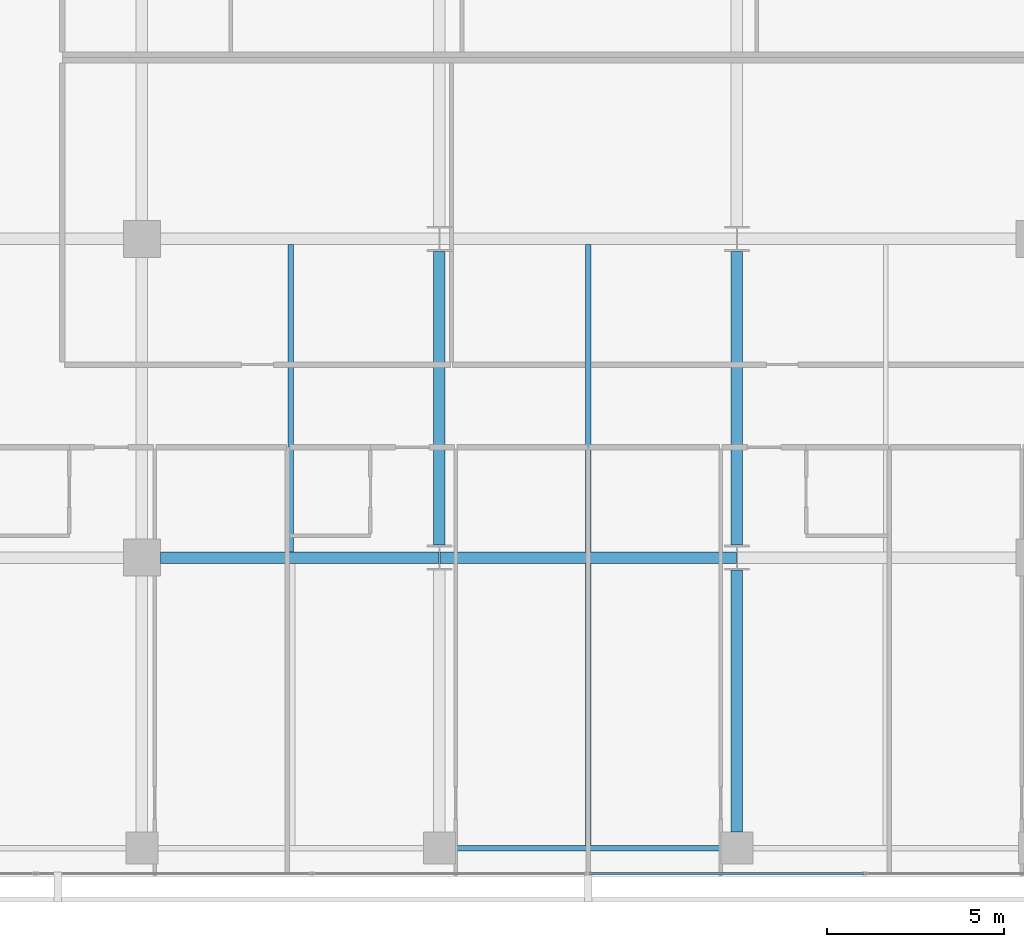
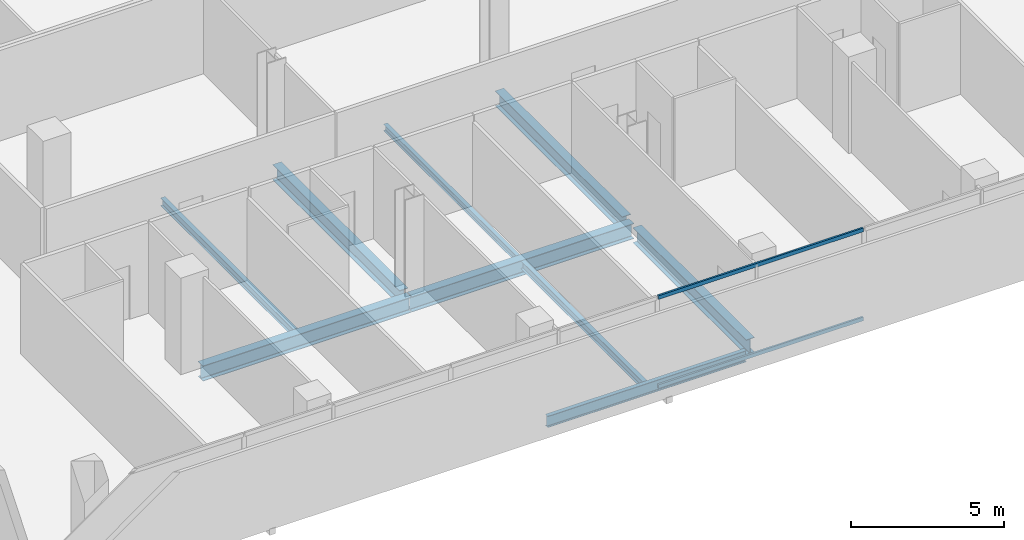
# One storey, part 9 of 40: 9 beams, 2 members, 1 element without a shape of its own.
"""IFC4 building model written with IfcOpenShell, lengths in metres."""

from ifc_helpers import new_model, si_unit, direction, frame, origin, origin_2d, place, context, subcontext, project, spatial, hollow_rectangle, i_section, extrude, material, layer, layer_set, material_profile, profile_set, type_object, element, aggregate, save


model = new_model("IFC4")

# Units and contexts
model_context = context("Model", 3, precision=1e-05, world=origin(), true_north=direction((0.0, 1.0)))
body_context = subcontext(model_context, "Body", "Model", "MODEL_VIEW")
ifc_project = project(units=[si_unit("LENGTHUNIT", "METRE"), si_unit("AREAUNIT", "SQUARE_METRE"), si_unit("VOLUMEUNIT", "CUBIC_METRE"), si_unit("PLANEANGLEUNIT", "RADIAN"), si_unit("MASSUNIT", "GRAM", prefix="KILO")], contexts=[model_context])

# Site, building, storey
site_placement = place(None, origin())
site = spatial("IfcSite", under=ifc_project, at=site_placement, CompositionType="ELEMENT")
building_placement = place(site_placement, origin())
building = spatial("IfcBuilding", under=site, at=building_placement, Name="Maruvema Waterfront Hotel and Observation Tower", CompositionType="ELEMENT")
storey_placement = place(building_placement, frame((0.0, 0.0, 96.25)))
storey = spatial("IfcBuildingStorey", under=building, at=storey_placement, Name="L23", CompositionType="ELEMENT", Elevation=96.25)

# Curtain wall, members
ifc_material_1 = material(Name="Anodised bronze aluminium and solar-control low-E IGU", Category="aluminium")
ifc_layer = layer(ifc_material_1, 0.159912109375, Name="Zone 1 Bronze Inner Thermal Curtain Wall System CW-02")
ifc_layer_set = layer_set([ifc_layer], Name="Anodised bronze aluminium and solar-control low-E IGU")
curtain_wall_type = type_object("IfcCurtainWallType", Name="Zone 1 Bronze Inner Thermal Curtain Wall System CW-02", PredefinedType="USERDEFINED", material=ifc_layer_set)
curtain_wall_placement = place(storey_placement, origin())
curtain_wall = element("IfcCurtainWall", 1, at=curtain_wall_placement, inside=storey, type_object=curtain_wall_type, Name="L23 Curtain Wall CW-L23-S", ObjectType="UNITISED CURTAIN WALL", PredefinedType="USERDEFINED")
ifc_material_2 = material(Name="Anodised architectural bronze aluminium", Category="aluminium")
ifc_material_profile_1 = material_profile(ifc_material_2, hollow_rectangle(XDim=0.070068359375, YDim=0.14990234375, WallThickness=0.00390625, at=origin_2d()), Name="ALU-T70x150")
ifc_profile_set_1 = profile_set([ifc_material_profile_1], Name="Anodised architectural bronze aluminium")
member_type = type_object("IfcMemberType", Name="Curtain Wall Horizontal Transom ALU-T70x150", PredefinedType="USERDEFINED", material=ifc_profile_set_1)
member_1_placement = place(storey_placement, frame((37.830078125, 0.080078125, 0.030029296875), z_axis=(1.0, 0.0, 0.0), x_axis=(0.0, 1.0, 0.0)))
member_1 = element("IfcMember", 2, at=member_1_placement, type_object=member_type, Name="CW-02 transom 4.1", ObjectType="TRANSOM", PredefinedType="USERDEFINED", context=body_context, shape_type="SweptSolid", body=[
    extrude(hollow_rectangle(XDim=0.070068359375, YDim=0.14990234375, WallThickness=0.00390625, at=origin_2d()), origin(), (0.0, 0.0, 1.0), 7.739990234375),
])
member_2_placement = place(storey_placement, frame((37.830078125, 0.080078125, 3.580078125), z_axis=(1.0, 0.0, 0.0), x_axis=(0.0, 1.0, 0.0)))
member_2 = element("IfcMember", 3, at=member_2_placement, type_object=member_type, Name="CW-02 transom 4.2", ObjectType="TRANSOM", PredefinedType="USERDEFINED", context=body_context, shape_type="SweptSolid", body=[
    extrude(hollow_rectangle(XDim=0.070068359375, YDim=0.14990234375, WallThickness=0.00390625, at=origin_2d()), origin(), (0.0, 0.0, 1.0), 7.739990234375),
])
aggregate(curtain_wall, [member_1, member_2])

# Beams
ifc_material_3 = material(Name="Steel ASTM A572 Grade 50", Category="steel")
ifc_material_profile_2 = material_profile(ifc_material_3, i_section(OverallWidth=0.153076171875, OverallDepth=0.455078125, WebThickness=0.008056640625, FlangeThickness=0.01318359375, FilletRadius=0.014892578125, at=origin_2d()), Name="W460x60.0")
ifc_profile_set_2 = profile_set([ifc_material_profile_2], Name="Steel ASTM A572 Grade 50")
beam_type_1 = type_object("IfcBeamType", Name="Perimeter Spandrel Beam W460x60.0", PredefinedType="SPANDREL", material=ifc_profile_set_2)
beam_1_placement = place(storey_placement, frame((34.050048828125, 0.800048828125, -0.467529296875), z_axis=(1.0, 0.0, 0.0), x_axis=(0.0, 1.0, 0.0)))
element("IfcBeam", 4, at=beam_1_placement, inside=storey, type_object=beam_type_1, Name="L23 Floor Girder EW-03", PredefinedType="SPANDREL", context=body_context, shape_type="SweptSolid", body=[
    extrude(i_section(OverallWidth=0.153076171875, OverallDepth=0.455078125, WebThickness=0.008056640625, FlangeThickness=0.01318359375, FilletRadius=0.014892578125, at=origin_2d()), origin(), (0.0, 0.0, 1.0), 7.5),
])
ifc_material_4 = material(Name="Steel ASTM A572 Grade 50", Category="steel")
ifc_material_profile_3 = material_profile(ifc_material_4, i_section(OverallWidth=0.323974609375, OverallDepth=0.611083984375, WebThickness=0.0126953125, FlangeThickness=0.01904296875, FilletRadius=0.01806640625, at=origin_2d()), Name="W610x155.0")
ifc_profile_set_3 = profile_set([ifc_material_profile_3], Name="Steel ASTM A572 Grade 50")
beam_type_2 = type_object("IfcBeamType", Name="Primary Floor Girder W610x155.0", PredefinedType="BEAM", material=ifc_profile_set_3)
beam_2_placement = place(storey_placement, frame((25.72509765625, 9.0, -0.54541015625), z_axis=(1.0, 0.0, 0.0), x_axis=(0.0, 1.0, 0.0)))
element("IfcBeam", 5, at=beam_2_placement, inside=storey, type_object=beam_type_2, Name="L23 Floor Girder EW-08", PredefinedType="BEAM", context=body_context, shape_type="SweptSolid", body=[
    extrude(i_section(OverallWidth=0.323974609375, OverallDepth=0.611083984375, WebThickness=0.0126953125, FlangeThickness=0.01904296875, FilletRadius=0.01806640625, at=origin_2d()), origin(), (0.0, 0.0, 1.0), 7.86083984375),
])
beam_3_placement = place(storey_placement, frame((33.614013671875, 9.0, -0.54541015625), z_axis=(1.0, 0.0, 0.0), x_axis=(0.0, 1.0, 0.0)))
element("IfcBeam", 6, at=beam_3_placement, inside=storey, type_object=beam_type_2, Name="L23 Floor Girder EW-09", PredefinedType="BEAM", context=body_context, shape_type="SweptSolid", body=[
    extrude(i_section(OverallWidth=0.323974609375, OverallDepth=0.611083984375, WebThickness=0.0126953125, FlangeThickness=0.01904296875, FilletRadius=0.01806640625, at=origin_2d()), origin(), (0.0, 0.0, 1.0), 8.3720703125),
])
beam_4_placement = place(storey_placement, frame((33.60009765625, 9.35009765625, -0.54541015625), z_axis=(0.0, 1.0, 0.0), x_axis=(-1.0, 0.0, 0.0)))
element("IfcBeam", 7, at=beam_4_placement, inside=storey, type_object=beam_type_2, Name="L23 Floor Girder NS-17", PredefinedType="BEAM", context=body_context, shape_type="SweptSolid", body=[
    extrude(i_section(OverallWidth=0.323974609375, OverallDepth=0.611083984375, WebThickness=0.0126953125, FlangeThickness=0.01904296875, FilletRadius=0.01806640625, at=origin_2d()), origin(), (0.0, 0.0, 1.0), 8.2998046875),
])
beam_5_placement = place(storey_placement, frame((42.0, 1.25, -0.54541015625), z_axis=(0.0, 1.0, 0.0), x_axis=(-1.0, 0.0, 0.0)))
element("IfcBeam", 8, at=beam_5_placement, inside=storey, type_object=beam_type_2, Name="L23 Floor Girder NS-19", PredefinedType="BEAM", context=body_context, shape_type="SweptSolid", body=[
    extrude(i_section(OverallWidth=0.323974609375, OverallDepth=0.611083984375, WebThickness=0.0126953125, FlangeThickness=0.01904296875, FilletRadius=0.01806640625, at=origin_2d()), origin(), (0.0, 0.0, 1.0), 7.39990234375),
])
beam_6_placement = place(storey_placement, frame((42.0, 9.35009765625, -0.54541015625), z_axis=(0.0, 1.0, 0.0), x_axis=(-1.0, 0.0, 0.0)))
element("IfcBeam", 9, at=beam_6_placement, inside=storey, type_object=beam_type_2, Name="L23 Floor Girder NS-20", PredefinedType="BEAM", context=body_context, shape_type="SweptSolid", body=[
    extrude(i_section(OverallWidth=0.323974609375, OverallDepth=0.611083984375, WebThickness=0.0126953125, FlangeThickness=0.01904296875, FilletRadius=0.01806640625, at=origin_2d()), origin(), (0.0, 0.0, 1.0), 8.2998046875),
])
ifc_material_5 = material(Name="Steel ASTM A572 Grade 50", Category="steel")
ifc_material_profile_4 = material_profile(ifc_material_5, i_section(OverallWidth=0.14794921875, OverallDepth=0.26611328125, WebThickness=0.007568359375, FlangeThickness=0.012939453125, FilletRadius=0.012939453125, at=origin_2d()), Name="W250x44.8")
ifc_profile_set_4 = profile_set([ifc_material_profile_4], Name="Steel ASTM A572 Grade 50")
beam_type_3 = type_object("IfcBeamType", Name="Secondary Floor Joist W250x44.8", PredefinedType="JOIST", material=ifc_profile_set_4)
beam_7_placement = place(storey_placement, frame((37.800048828125, 9.162109375, -0.373046875), z_axis=(0.0, 1.0, 0.0), x_axis=(-1.0, 0.0, 0.0)))
element("IfcBeam", 10, at=beam_7_placement, inside=storey, type_object=beam_type_3, Name="L23 Secondary Floor Joist JS-13", PredefinedType="JOIST", context=body_context, shape_type="SweptSolid", body=[
    extrude(i_section(OverallWidth=0.14794921875, OverallDepth=0.26611328125, WebThickness=0.007568359375, FlangeThickness=0.012939453125, FilletRadius=0.012939453125, at=origin_2d()), origin(), (0.0, 0.0, 1.0), 8.67578125),
])
ifc_material_6 = material(Name="Steel ASTM A572 Grade 50", Category="steel")
ifc_material_profile_5 = material_profile(ifc_material_6, i_section(OverallWidth=0.1650390625, OverallDepth=0.31005859375, WebThickness=0.005859375, FlangeThickness=0.009765625, FilletRadius=0.012939453125, at=origin_2d()), Name="W310x38.7")
ifc_profile_set_5 = profile_set([ifc_material_profile_5], Name="Steel ASTM A572 Grade 50")
beam_type_4 = type_object("IfcBeamType", Name="Secondary Floor Joist W310x38.7", PredefinedType="JOIST", material=ifc_profile_set_5)
beam_8_placement = place(storey_placement, frame((37.800048828125, 0.87646484375, -0.39501953125), z_axis=(0.0, 1.0, 0.0), x_axis=(-1.0, 0.0, 0.0)))
element("IfcBeam", 11, at=beam_8_placement, inside=storey, type_object=beam_type_4, Name="L23 Secondary Floor Joist JS-12", PredefinedType="JOIST", context=body_context, shape_type="SweptSolid", body=[
    extrude(i_section(OverallWidth=0.1650390625, OverallDepth=0.31005859375, WebThickness=0.005859375, FlangeThickness=0.009765625, FilletRadius=0.012939453125, at=origin_2d()), origin(), (0.0, 0.0, 1.0), 7.96142578125),
])
ifc_material_7 = material(Name="Steel ASTM A572 Grade 50", Category="steel")
ifc_material_profile_6 = material_profile(ifc_material_7, i_section(OverallWidth=0.1669921875, OverallDepth=0.31689453125, WebThickness=0.007568359375, FlangeThickness=0.01318359375, FilletRadius=0.012939453125, at=origin_2d()), Name="W310x52.0")
ifc_profile_set_6 = profile_set([ifc_material_profile_6], Name="Steel ASTM A572 Grade 50")
beam_type_5 = type_object("IfcBeamType", Name="Secondary Floor Joist W310x52.0", PredefinedType="JOIST", material=ifc_profile_set_6)
beam_9_placement = place(storey_placement, frame((29.39990234375, 9.162109375, -0.3984375), z_axis=(0.0, 1.0, 0.0), x_axis=(-1.0, 0.0, 0.0)))
element("IfcBeam", 12, at=beam_9_placement, inside=storey, type_object=beam_type_5, Name="L23 Secondary Floor Joist JS-11", PredefinedType="JOIST", context=body_context, shape_type="SweptSolid", body=[
    extrude(i_section(OverallWidth=0.1669921875, OverallDepth=0.31689453125, WebThickness=0.007568359375, FlangeThickness=0.01318359375, FilletRadius=0.012939453125, at=origin_2d()), origin(), (0.0, 0.0, 1.0), 8.67578125),
])

save(model, "model.ifc")
